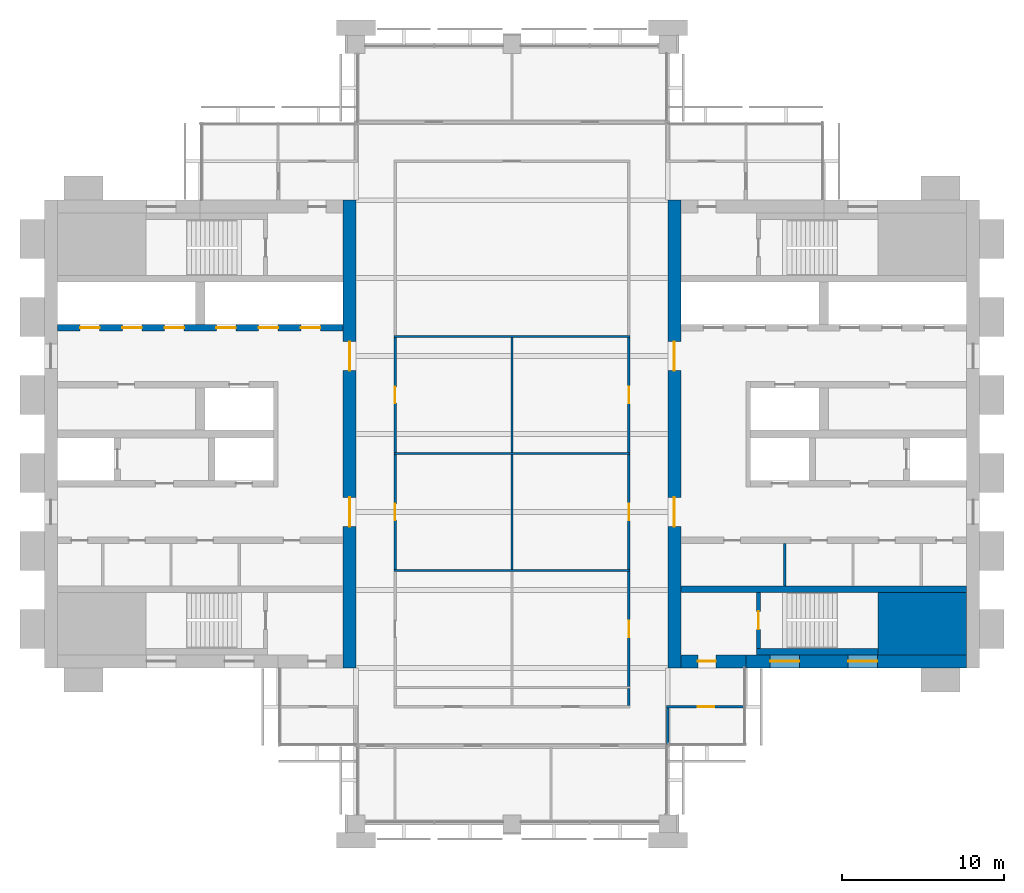
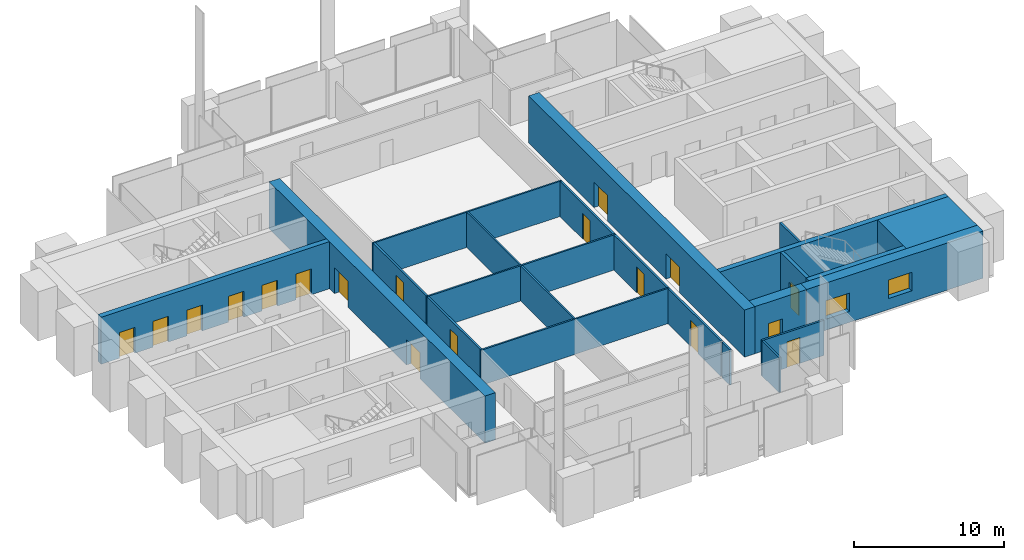
# One storey, part 9 of 13: 23 walls, 18 doors, 2 windows, 20 openings.
"""IFC4 building model written with IfcOpenShell, lengths in metres."""

from ifc_helpers import new_model, si_unit, direction, frame, frame_2d, origin, place, context, subcontext, project, spatial, rectangle, extrude, material, layer, layer_set, type_object, element, fill, save


model = new_model("IFC4")

# Units and contexts
model_context = context("Model", 3, precision=1e-05, world=origin(), true_north=direction((0.0, 1.0)))
body_context = subcontext(model_context, "Body", "Model", "MODEL_VIEW")
ifc_project = project(units=[si_unit("LENGTHUNIT", "METRE"), si_unit("AREAUNIT", "SQUARE_METRE"), si_unit("VOLUMEUNIT", "CUBIC_METRE"), si_unit("PLANEANGLEUNIT", "RADIAN"), si_unit("MASSUNIT", "GRAM", prefix="KILO")], contexts=[model_context])

# Site, building, storey
site_placement = place(None, origin())
site = spatial("IfcSite", under=ifc_project, at=site_placement, CompositionType="ELEMENT")
building_placement = place(site_placement, origin())
building = spatial("IfcBuilding", under=site, at=building_placement, Name="Baori Bourse Tower", CompositionType="ELEMENT")
storey_placement = place(building_placement, frame((0.0, 0.0, 237.199951171875)))
storey = spatial("IfcBuildingStorey", under=building, at=storey_placement, Name="L52", CompositionType="ELEMENT", Elevation=237.199951171875)

# Walls
ifc_material_1 = material(Name="Concrete f'c 50 MPa", Category="concrete")
wall_type_1 = type_object("IfcWallType", Name="Core corner block f'c 50", PredefinedType="SHEAR", material=ifc_material_1)
wall_1_placement = place(storey_placement, frame((51.35009765625, 12.324951171875, 0.0), z_axis=(0.0, 0.0, 1.0), x_axis=(1.0, 0.0, 0.0)))
element("IfcWall", 1, at=wall_1_placement, inside=storey, type_object=wall_type_1, Name="Core wall E05", PredefinedType="SHEAR", context=body_context, shape_type="SweptSolid", body=[
    extrude(rectangle(XDim=5.449951171875, YDim=3.85009765625, at=frame_2d((2.72509765625, 0.0))), origin(), (0.0, 0.0, 1.0), 3.840087890625),
])
ifc_material_2 = material(Name="Blockwork partition", Category="masonry")
ifc_layer_1 = layer(ifc_material_2, 0.14990234375)
ifc_layer_set_1 = layer_set([ifc_layer_1], Name="Core partition 150")
wall_type_2 = type_object("IfcWallType", Name="Core partition 150", PredefinedType="PARTITIONING", material=ifc_layer_set_1)
wall_2_placement = place(storey_placement, frame((45.60009765625, 14.64990234375, 0.0), z_axis=(0.0, 0.0, 1.0), x_axis=(0.0, 1.0, 0.0)))
element("IfcWall", 2, at=wall_2_placement, inside=storey, type_object=wall_type_2, Name="Partition wall E11", PredefinedType="PARTITIONING", context=body_context, shape_type="SweptSolid", body=[
    extrude(rectangle(XDim=2.60009765625, YDim=0.14990234375, at=frame_2d((1.300048828125, 0.0))), origin(), (0.0, 0.0, 1.0), 3.840087890625),
])

# Wall, openings, doors
ifc_material_3 = material(Name="Concrete f'c 50 MPa", Category="concrete")
ifc_layer_2 = layer(ifc_material_3, 0.800048828125)
ifc_layer_set_2 = layer_set([ifc_layer_2], Name="Core wall 800 f'c 50")
wall_type_3 = type_object("IfcWallType", Name="Core wall 800 f'c 50", PredefinedType="SHEAR", material=ifc_layer_set_2)
wall_3_placement = place(storey_placement, frame((18.800048828125, 38.39990234375, 0.0), z_axis=(0.0, 0.0, 1.0), x_axis=(0.0, -1.0, 0.0)))
wall_3 = element("IfcWall", 3, at=wall_3_placement, inside=storey, type_object=wall_type_3, Name="Core wall W04", PredefinedType="SHEAR", context=body_context, shape_type="SweptSolid", body=[
    extrude(rectangle(XDim=28.7998046875, YDim=0.800048828125, at=frame_2d((14.39990234375, 0.0))), origin(), (0.0, 0.0, 1.0), 3.840087890625),
])
opening_1_placement = place(wall_3_placement, frame((18.300048828125, 0.0, 0.0)))
opening_1 = element("IfcOpeningElement", 4, at=opening_1_placement, cuts=wall_3, Name="Opening L52-D107", PredefinedType="OPENING", context=body_context, shape_type="SweptSolid", body=[
    extrude(rectangle(XDim=1.800048828125, YDim=2.10009765625, at=frame_2d((0.89990234375, 1.050048828125))), frame((0.0, 0.409912109375, 0.0), z_axis=(0.0, -1.0, 0.0), x_axis=(1.0, 0.0, 0.0)), (0.0, 0.0, 1.0), 0.820068359375),
])
opening_2_placement = place(wall_3_placement, frame((8.699951171875, 0.0, 0.0)))
opening_2 = element("IfcOpeningElement", 5, at=opening_2_placement, cuts=wall_3, Name="Opening L52-D108", PredefinedType="OPENING", context=body_context, shape_type="SweptSolid", body=[
    extrude(rectangle(XDim=1.800048828125, YDim=2.10009765625, at=frame_2d((0.89990234375, 1.050048828125))), frame((0.0, 0.409912109375, 0.0), z_axis=(0.0, -1.0, 0.0), x_axis=(1.0, 0.0, 0.0)), (0.0, 0.0, 1.0), 0.820068359375),
])
ifc_material_4 = material(Name="Painted steel door", Category="steel")
door_type_1 = type_object("IfcDoorType", Name="Core lobby door 1800", OperationType="DOUBLE_DOOR_SINGLE_SWING", PredefinedType="DOOR", material=ifc_material_4)
door_1_placement = place(opening_1_placement, origin())
door_1 = element("IfcDoor", 6, at=door_1_placement, inside=storey, type_object=door_type_1, Name="Lobby door W L52", OperationType="DOUBLE_DOOR_SINGLE_SWING", OverallHeight=2.10009765625, OverallWidth=1.800048828125, PredefinedType="DOOR", context=body_context, shape_type="SweptSolid", body=[
    extrude(rectangle(XDim=1.800048828125, YDim=2.10009765625, at=frame_2d((0.89990234375, 1.050048828125))), frame((0.0, 0.02490234375, 0.0), z_axis=(0.0, -1.0, 0.0), x_axis=(1.0, 0.0, 0.0)), (0.0, 0.0, 1.0), 0.050048828125),
])
fill(opening_1, door_1)
door_2_placement = place(opening_2_placement, origin())
door_2 = element("IfcDoor", 7, at=door_2_placement, inside=storey, type_object=door_type_1, Name="Lobby door W L52", OperationType="DOUBLE_DOOR_SINGLE_SWING", OverallHeight=2.10009765625, OverallWidth=1.800048828125, PredefinedType="DOOR", context=body_context, shape_type="SweptSolid", body=[
    extrude(rectangle(XDim=1.800048828125, YDim=2.10009765625, at=frame_2d((0.89990234375, 1.050048828125))), frame((0.0, 0.02490234375, 0.0), z_axis=(0.0, -1.0, 0.0), x_axis=(1.0, 0.0, 0.0)), (0.0, 0.0, 1.0), 0.050048828125),
])
fill(opening_2, door_2)

# Wall, openings, windows
wall_4_placement = place(storey_placement, frame((56.800048828125, 10.0, 0.0), z_axis=(0.0, 0.0, 1.0), x_axis=(-1.0, 0.0, 0.0)))
wall_4 = element("IfcWall", 8, at=wall_4_placement, inside=storey, type_object=wall_type_3, Name="Core wall E02", PredefinedType="SHEAR", context=body_context, shape_type="SweptSolid", body=[
    extrude(rectangle(XDim=13.60009765625, YDim=0.800048828125, at=frame_2d((6.800048828125, 0.0))), origin(), (0.0, 0.0, 1.0), 3.840087890625),
])
opening_3_placement = place(wall_4_placement, frame((5.5, 0.0, 0.89990234375)))
opening_3 = element("IfcOpeningElement", 9, at=opening_3_placement, cuts=wall_4, Name="Opening L52-KW203", PredefinedType="OPENING", context=body_context, shape_type="SweptSolid", body=[
    extrude(rectangle(XDim=1.800048828125, YDim=1.5, at=frame_2d((0.89990234375, 0.75))), frame((0.0, 0.409912109375, 0.0), z_axis=(0.0, -1.0, 0.0), x_axis=(1.0, 0.0, 0.0)), (0.0, 0.0, 1.0), 0.820068359375),
])
opening_4_placement = place(wall_4_placement, frame((10.300048828125, 0.0, 0.89990234375)))
opening_4 = element("IfcOpeningElement", 10, at=opening_4_placement, cuts=wall_4, Name="Opening L52-KW204", PredefinedType="OPENING", context=body_context, shape_type="SweptSolid", body=[
    extrude(rectangle(XDim=1.800048828125, YDim=1.5, at=frame_2d((0.89990234375, 0.75))), frame((0.0, 0.409912109375, 0.0), z_axis=(0.0, -1.0, 0.0), x_axis=(1.0, 0.0, 0.0)), (0.0, 0.0, 1.0), 0.820068359375),
])
ifc_material_5 = material(Name="Pale anodised aluminium", Category="aluminium")
window_type = type_object("IfcWindowType", Name="Stair window 1800 x 1500", PartitioningType="SINGLE_PANEL", PredefinedType="WINDOW", material=ifc_material_5)
window_1_placement = place(opening_3_placement, origin())
window_1 = element("IfcWindow", 11, at=window_1_placement, inside=storey, type_object=window_type, Name="Stair window E L52 3", OverallHeight=1.5, OverallWidth=1.800048828125, PartitioningType="SINGLE_PANEL", PredefinedType="WINDOW", context=body_context, shape_type="SweptSolid", body=[
    extrude(rectangle(XDim=1.800048828125, YDim=1.5, at=frame_2d((0.89990234375, 0.75))), frame((0.0, 0.030029296875, 0.0), z_axis=(0.0, -1.0, 0.0), x_axis=(1.0, 0.0, 0.0)), (0.0, 0.0, 1.0), 0.06005859375),
])
fill(opening_3, window_1)
window_2_placement = place(opening_4_placement, origin())
window_2 = element("IfcWindow", 12, at=window_2_placement, inside=storey, type_object=window_type, Name="Stair window E L52 4", OverallHeight=1.5, OverallWidth=1.800048828125, PartitioningType="SINGLE_PANEL", PredefinedType="WINDOW", context=body_context, shape_type="SweptSolid", body=[
    extrude(rectangle(XDim=1.800048828125, YDim=1.5, at=frame_2d((0.89990234375, 0.75))), frame((0.0, 0.030029296875, 0.0), z_axis=(0.0, -1.0, 0.0), x_axis=(1.0, 0.0, 0.0)), (0.0, 0.0, 1.0), 0.06005859375),
])
fill(opening_4, window_2)

# Wall, opening, door
wall_5_placement = place(storey_placement, frame((43.199951171875, 10.0, 0.0), z_axis=(0.0, 0.0, 1.0), x_axis=(-1.0, 0.0, 0.0)))
wall_5 = element("IfcWall", 13, at=wall_5_placement, inside=storey, type_object=wall_type_3, Name="Core wall E03", PredefinedType="SHEAR", context=body_context, shape_type="SweptSolid", body=[
    extrude(rectangle(XDim=4.0, YDim=0.800048828125, at=frame_2d((2.0, 0.0))), origin(), (0.0, 0.0, 1.0), 3.840087890625),
])
opening_5_placement = place(wall_5_placement, frame((1.85009765625, 0.0, 0.0)))
opening_5 = element("IfcOpeningElement", 14, at=opening_5_placement, cuts=wall_5, Name="Opening L52-D202", PredefinedType="OPENING", context=body_context, shape_type="SweptSolid", body=[
    extrude(rectangle(XDim=1.10009765625, YDim=2.10009765625, at=frame_2d((0.550048828125, 1.050048828125))), frame((0.0, 0.409912109375, 0.0), z_axis=(0.0, -1.0, 0.0), x_axis=(1.0, 0.0, 0.0)), (0.0, 0.0, 1.0), 0.820068359375),
])
ifc_material_6 = material(Name="Painted steel door", Category="steel")
door_type_2 = type_object("IfcDoorType", Name="Stair door 1100", OperationType="SINGLE_SWING_LEFT", PredefinedType="DOOR", material=ifc_material_6)
door_3_placement = place(opening_5_placement, origin())
door_3 = element("IfcDoor", 15, at=door_3_placement, inside=storey, type_object=door_type_2, Name="Stair vestibule door A E L52", OperationType="SINGLE_SWING_LEFT", OverallHeight=2.10009765625, OverallWidth=1.10009765625, PredefinedType="DOOR", context=body_context, shape_type="SweptSolid", body=[
    extrude(rectangle(XDim=1.10009765625, YDim=2.10009765625, at=frame_2d((0.550048828125, 1.050048828125))), frame((0.0, 0.02490234375, 0.0), z_axis=(0.0, -1.0, 0.0), x_axis=(1.0, 0.0, 0.0)), (0.0, 0.0, 1.0), 0.050048828125),
])
fill(opening_5, door_3)

# Wall, openings, doors
wall_6_placement = place(storey_placement, frame((38.800048828125, 9.60009765625, 0.0), z_axis=(0.0, 0.0, 1.0), x_axis=(0.0, 1.0, 0.0)))
wall_6 = element("IfcWall", 16, at=wall_6_placement, inside=storey, type_object=wall_type_3, Name="Core wall E04", PredefinedType="SHEAR", context=body_context, shape_type="SweptSolid", body=[
    extrude(rectangle(XDim=28.7998046875, YDim=0.800048828125, at=frame_2d((14.39990234375, 0.0))), origin(), (0.0, 0.0, 1.0), 3.840087890625),
])
opening_6_placement = place(wall_6_placement, frame((8.699951171875, 0.0, 0.0)))
opening_6 = element("IfcOpeningElement", 17, at=opening_6_placement, cuts=wall_6, Name="Opening L52-D207", PredefinedType="OPENING", context=body_context, shape_type="SweptSolid", body=[
    extrude(rectangle(XDim=1.800048828125, YDim=2.10009765625, at=frame_2d((0.89990234375, 1.050048828125))), frame((0.0, 0.409912109375, 0.0), z_axis=(0.0, -1.0, 0.0), x_axis=(1.0, 0.0, 0.0)), (0.0, 0.0, 1.0), 0.820068359375),
])
opening_7_placement = place(wall_6_placement, frame((18.300048828125, 0.0, 0.0)))
opening_7 = element("IfcOpeningElement", 18, at=opening_7_placement, cuts=wall_6, Name="Opening L52-D208", PredefinedType="OPENING", context=body_context, shape_type="SweptSolid", body=[
    extrude(rectangle(XDim=1.800048828125, YDim=2.10009765625, at=frame_2d((0.89990234375, 1.050048828125))), frame((0.0, 0.409912109375, 0.0), z_axis=(0.0, -1.0, 0.0), x_axis=(1.0, 0.0, 0.0)), (0.0, 0.0, 1.0), 0.820068359375),
])
door_4_placement = place(opening_6_placement, origin())
door_4 = element("IfcDoor", 19, at=door_4_placement, inside=storey, type_object=door_type_1, Name="Lobby door E L52", OperationType="DOUBLE_DOOR_SINGLE_SWING", OverallHeight=2.10009765625, OverallWidth=1.800048828125, PredefinedType="DOOR", context=body_context, shape_type="SweptSolid", body=[
    extrude(rectangle(XDim=1.800048828125, YDim=2.10009765625, at=frame_2d((0.89990234375, 1.050048828125))), frame((0.0, 0.02490234375, 0.0), z_axis=(0.0, -1.0, 0.0), x_axis=(1.0, 0.0, 0.0)), (0.0, 0.0, 1.0), 0.050048828125),
])
fill(opening_6, door_4)
door_5_placement = place(opening_7_placement, origin())
door_5 = element("IfcDoor", 20, at=door_5_placement, inside=storey, type_object=door_type_1, Name="Lobby door E L52", OperationType="DOUBLE_DOOR_SINGLE_SWING", OverallHeight=2.10009765625, OverallWidth=1.800048828125, PredefinedType="DOOR", context=body_context, shape_type="SweptSolid", body=[
    extrude(rectangle(XDim=1.800048828125, YDim=2.10009765625, at=frame_2d((0.89990234375, 1.050048828125))), frame((0.0, 0.02490234375, 0.0), z_axis=(0.0, -1.0, 0.0), x_axis=(1.0, 0.0, 0.0)), (0.0, 0.0, 1.0), 0.050048828125),
])
fill(opening_7, door_5)

# Wall, opening, door
ifc_material_7 = material(Name="Gypsum board partition")
ifc_layer_3 = layer(ifc_material_7, 0.14990234375)
ifc_layer_set_3 = layer_set([ifc_layer_3], Name="Corridor partition 150")
wall_type_4 = type_object("IfcWallType", Name="Corridor partition 150", PredefinedType="PARTITIONING", material=ifc_layer_set_3)
wall_7_placement = place(storey_placement, frame((38.324951171875, 7.199951171875, 0.0), z_axis=(0.0, 0.0, 1.0), x_axis=(1.0, 0.0, 0.0)))
wall_7 = element("IfcWall", 21, at=wall_7_placement, inside=storey, type_object=wall_type_4, Name="Partition", PredefinedType="PARTITIONING", context=body_context, shape_type="SweptSolid", body=[
    extrude(rectangle(XDim=4.775146484375, YDim=0.14990234375, at=frame_2d((2.3876953125, 0.0))), origin(), (0.0, 0.0, 1.0), 2.869873046875),
])
opening_8_placement = place(wall_7_placement, frame((1.925048828125, 0.0, 0.0)))
opening_8 = element("IfcOpeningElement", 22, at=opening_8_placement, cuts=wall_7, Name="Opening L52-D07", PredefinedType="OPENING", context=body_context, shape_type="SweptSolid", body=[
    extrude(rectangle(XDim=1.0, YDim=2.10009765625, at=frame_2d((0.5, 1.050048828125))), frame((0.0, 0.0849609375, 0.0), z_axis=(0.0, -1.0, 0.0), x_axis=(1.0, 0.0, 0.0)), (0.0, 0.0, 1.0), 0.169921875),
])
ifc_material_8 = material(Name="Timber door leaf", Category="wood")
door_type_3 = type_object("IfcDoorType", Name="Door 1000 x 2100", OperationType="SINGLE_SWING_LEFT", PredefinedType="DOOR", material=ifc_material_8)
door_6_placement = place(opening_8_placement, origin())
door_6 = element("IfcDoor", 23, at=door_6_placement, inside=storey, type_object=door_type_3, Name="Door", OperationType="SINGLE_SWING_RIGHT", OverallHeight=2.10009765625, OverallWidth=1.0, PredefinedType="DOOR", context=body_context, shape_type="SweptSolid", body=[
    extrude(rectangle(XDim=1.0, YDim=2.10009765625, at=frame_2d((0.5, 1.050048828125))), frame((0.0, 0.02490234375, 0.0), z_axis=(0.0, -1.0, 0.0), x_axis=(1.0, 0.0, 0.0)), (0.0, 0.0, 1.0), 0.050048828125),
])
fill(opening_8, door_6)

wall_8_placement = place(storey_placement, frame((21.60009765625, 15.66259765625, 0.0), z_axis=(0.0, 0.0, 1.0), x_axis=(0.0, 1.0, 0.0)))
wall_8 = element("IfcWall", 24, at=wall_8_placement, inside=storey, type_object=wall_type_4, Name="Partition", PredefinedType="PARTITIONING", context=body_context, shape_type="SweptSolid", body=[
    extrude(rectangle(XDim=7.074951171875, YDim=0.14990234375, at=frame_2d((3.53759765625, 0.0))), origin(), (0.0, 0.0, 1.0), 2.869873046875),
])
opening_9_placement = place(wall_8_placement, frame((3.03759765625, 0.0, 0.0)))
opening_9 = element("IfcOpeningElement", 25, at=opening_9_placement, cuts=wall_8, Name="Opening L52-D15", PredefinedType="OPENING", context=body_context, shape_type="SweptSolid", body=[
    extrude(rectangle(XDim=1.0, YDim=2.10009765625, at=frame_2d((0.5, 1.050048828125))), frame((0.0, 0.0849609375, 0.0), z_axis=(0.0, -1.0, 0.0), x_axis=(1.0, 0.0, 0.0)), (0.0, 0.0, 1.0), 0.169921875),
])
door_7_placement = place(opening_9_placement, origin())
door_7 = element("IfcDoor", 26, at=door_7_placement, inside=storey, type_object=door_type_3, Name="Door", OperationType="SINGLE_SWING_LEFT", OverallHeight=2.10009765625, OverallWidth=1.0, PredefinedType="DOOR", context=body_context, shape_type="SweptSolid", body=[
    extrude(rectangle(XDim=1.0, YDim=2.10009765625, at=frame_2d((0.5, 1.050048828125))), frame((0.0, 0.02490234375, 0.0), z_axis=(0.0, -1.0, 0.0), x_axis=(1.0, 0.0, 0.0)), (0.0, 0.0, 1.0), 0.050048828125),
])
fill(opening_9, door_7)

wall_9_placement = place(storey_placement, frame((21.60009765625, 22.862548828125, 0.0), z_axis=(0.0, 0.0, 1.0), x_axis=(0.0, 1.0, 0.0)))
wall_9 = element("IfcWall", 27, at=wall_9_placement, inside=storey, type_object=wall_type_4, Name="Partition", PredefinedType="PARTITIONING", context=body_context, shape_type="SweptSolid", body=[
    extrude(rectangle(XDim=7.074951171875, YDim=0.14990234375, at=frame_2d((3.53759765625, 0.0))), origin(), (0.0, 0.0, 1.0), 2.869873046875),
])
opening_10_placement = place(wall_9_placement, frame((3.03759765625, 0.0, 0.0)))
opening_10 = element("IfcOpeningElement", 28, at=opening_10_placement, cuts=wall_9, Name="Opening L52-D16", PredefinedType="OPENING", context=body_context, shape_type="SweptSolid", body=[
    extrude(rectangle(XDim=1.0, YDim=2.10009765625, at=frame_2d((0.5, 1.050048828125))), frame((0.0, 0.0849609375, 0.0), z_axis=(0.0, -1.0, 0.0), x_axis=(1.0, 0.0, 0.0)), (0.0, 0.0, 1.0), 0.169921875),
])
door_8_placement = place(opening_10_placement, origin())
door_8 = element("IfcDoor", 29, at=door_8_placement, inside=storey, type_object=door_type_3, Name="Door", OperationType="SINGLE_SWING_LEFT", OverallHeight=2.10009765625, OverallWidth=1.0, PredefinedType="DOOR", context=body_context, shape_type="SweptSolid", body=[
    extrude(rectangle(XDim=1.0, YDim=2.10009765625, at=frame_2d((0.5, 1.050048828125))), frame((0.0, 0.02490234375, 0.0), z_axis=(0.0, -1.0, 0.0), x_axis=(1.0, 0.0, 0.0)), (0.0, 0.0, 1.0), 0.050048828125),
])
fill(opening_10, door_8)

# Wall
wall_10_placement = place(storey_placement, frame((36.0, 7.27490234375, 0.0), z_axis=(0.0, 0.0, 1.0), x_axis=(0.0, 1.0, 0.0)))
element("IfcWall", 30, at=wall_10_placement, inside=storey, type_object=wall_type_4, Name="Partition", PredefinedType="PARTITIONING", context=body_context, shape_type="SweptSolid", body=[
    extrude(rectangle(XDim=1.0625, YDim=0.14990234375, at=frame_2d((0.53125, 0.0))), origin(), (0.0, 0.0, 1.0), 2.869873046875),
])

# Wall, opening, door
wall_11_placement = place(storey_placement, frame((36.0, 8.46240234375, 0.0), z_axis=(0.0, 0.0, 1.0), x_axis=(0.0, 1.0, 0.0)))
wall_11 = element("IfcWall", 31, at=wall_11_placement, inside=storey, type_object=wall_type_4, Name="Partition", PredefinedType="PARTITIONING", context=body_context, shape_type="SweptSolid", body=[
    extrude(rectangle(XDim=7.0751953125, YDim=0.14990234375, at=frame_2d((3.53759765625, 0.0))), origin(), (0.0, 0.0, 1.0), 2.869873046875),
])
opening_11_placement = place(wall_11_placement, frame((3.03759765625, 0.0, 0.0)))
opening_11 = element("IfcOpeningElement", 32, at=opening_11_placement, cuts=wall_11, Name="Opening L52-D17", PredefinedType="OPENING", context=body_context, shape_type="SweptSolid", body=[
    extrude(rectangle(XDim=1.0, YDim=2.10009765625, at=frame_2d((0.5, 1.050048828125))), frame((0.0, 0.0849609375, 0.0), z_axis=(0.0, -1.0, 0.0), x_axis=(1.0, 0.0, 0.0)), (0.0, 0.0, 1.0), 0.169921875),
])
door_9_placement = place(opening_11_placement, origin())
door_9 = element("IfcDoor", 33, at=door_9_placement, inside=storey, type_object=door_type_3, Name="Door", OperationType="SINGLE_SWING_RIGHT", OverallHeight=2.10009765625, OverallWidth=1.0, PredefinedType="DOOR", context=body_context, shape_type="SweptSolid", body=[
    extrude(rectangle(XDim=1.0, YDim=2.10009765625, at=frame_2d((0.5, 1.050048828125))), frame((0.0, 0.02490234375, 0.0), z_axis=(0.0, -1.0, 0.0), x_axis=(1.0, 0.0, 0.0)), (0.0, 0.0, 1.0), 0.050048828125),
])
fill(opening_11, door_9)

wall_12_placement = place(storey_placement, frame((36.0, 15.66259765625, 0.0), z_axis=(0.0, 0.0, 1.0), x_axis=(0.0, 1.0, 0.0)))
wall_12 = element("IfcWall", 34, at=wall_12_placement, inside=storey, type_object=wall_type_4, Name="Partition", PredefinedType="PARTITIONING", context=body_context, shape_type="SweptSolid", body=[
    extrude(rectangle(XDim=7.074951171875, YDim=0.14990234375, at=frame_2d((3.53759765625, 0.0))), origin(), (0.0, 0.0, 1.0), 2.869873046875),
])
opening_12_placement = place(wall_12_placement, frame((3.03759765625, 0.0, 0.0)))
opening_12 = element("IfcOpeningElement", 35, at=opening_12_placement, cuts=wall_12, Name="Opening L52-D18", PredefinedType="OPENING", context=body_context, shape_type="SweptSolid", body=[
    extrude(rectangle(XDim=1.0, YDim=2.10009765625, at=frame_2d((0.5, 1.050048828125))), frame((0.0, 0.0849609375, 0.0), z_axis=(0.0, -1.0, 0.0), x_axis=(1.0, 0.0, 0.0)), (0.0, 0.0, 1.0), 0.169921875),
])
door_10_placement = place(opening_12_placement, origin())
door_10 = element("IfcDoor", 36, at=door_10_placement, inside=storey, type_object=door_type_3, Name="Door", OperationType="SINGLE_SWING_RIGHT", OverallHeight=2.10009765625, OverallWidth=1.0, PredefinedType="DOOR", context=body_context, shape_type="SweptSolid", body=[
    extrude(rectangle(XDim=1.0, YDim=2.10009765625, at=frame_2d((0.5, 1.050048828125))), frame((0.0, 0.02490234375, 0.0), z_axis=(0.0, -1.0, 0.0), x_axis=(1.0, 0.0, 0.0)), (0.0, 0.0, 1.0), 0.050048828125),
])
fill(opening_12, door_10)

wall_13_placement = place(storey_placement, frame((36.0, 22.862548828125, 0.0), z_axis=(0.0, 0.0, 1.0), x_axis=(0.0, 1.0, 0.0)))
wall_13 = element("IfcWall", 37, at=wall_13_placement, inside=storey, type_object=wall_type_4, Name="Partition", PredefinedType="PARTITIONING", context=body_context, shape_type="SweptSolid", body=[
    extrude(rectangle(XDim=7.074951171875, YDim=0.14990234375, at=frame_2d((3.53759765625, 0.0))), origin(), (0.0, 0.0, 1.0), 2.869873046875),
])
opening_13_placement = place(wall_13_placement, frame((3.03759765625, 0.0, 0.0)))
opening_13 = element("IfcOpeningElement", 38, at=opening_13_placement, cuts=wall_13, Name="Opening L52-D19", PredefinedType="OPENING", context=body_context, shape_type="SweptSolid", body=[
    extrude(rectangle(XDim=1.0, YDim=2.10009765625, at=frame_2d((0.5, 1.050048828125))), frame((0.0, 0.0849609375, 0.0), z_axis=(0.0, -1.0, 0.0), x_axis=(1.0, 0.0, 0.0)), (0.0, 0.0, 1.0), 0.169921875),
])
door_11_placement = place(opening_13_placement, origin())
door_11 = element("IfcDoor", 39, at=door_11_placement, inside=storey, type_object=door_type_3, Name="Door", OperationType="SINGLE_SWING_RIGHT", OverallHeight=2.10009765625, OverallWidth=1.0, PredefinedType="DOOR", context=body_context, shape_type="SweptSolid", body=[
    extrude(rectangle(XDim=1.0, YDim=2.10009765625, at=frame_2d((0.5, 1.050048828125))), frame((0.0, 0.02490234375, 0.0), z_axis=(0.0, -1.0, 0.0), x_axis=(1.0, 0.0, 0.0)), (0.0, 0.0, 1.0), 0.050048828125),
])
fill(opening_13, door_11)

# Walls
wall_14_placement = place(storey_placement, frame((38.39990234375, 4.875, 0.0), z_axis=(0.0, 0.0, 1.0), x_axis=(0.0, 1.0, 0.0)))
element("IfcWall", 40, at=wall_14_placement, inside=storey, type_object=wall_type_4, Name="Partition", PredefinedType="PARTITIONING", context=body_context, shape_type="SweptSolid", body=[
    extrude(rectangle(XDim=2.25, YDim=0.14990234375, at=frame_2d((1.125, 0.0))), origin(), (0.0, 0.0, 1.0), 2.869873046875),
])
ifc_material_9 = material(Name="Gypsum board partition")
ifc_layer_4 = layer(ifc_material_9, 0.125)
ifc_layer_set_4 = layer_set([ifc_layer_4], Name="Partition 125")
wall_type_5 = type_object("IfcWallType", Name="Partition 125", PredefinedType="PARTITIONING", material=ifc_layer_set_4)
for number, where, z_axis, x_axis, name in (
    (41, (21.52490234375, 15.60009765625, 0.0), (0.0, 0.0, 1.0), (1.0, 0.0, 0.0), "Partition"),
    (42, (21.52490234375, 22.800048828125, 0.0), (0.0, 0.0, 1.0), (1.0, 0.0, 0.0), "Partition"),
    (43, (21.52490234375, 30.0, 0.0), (0.0, 0.0, 1.0), (1.0, 0.0, 0.0), "Partition"),
):
    element("IfcWall", number, at=place(storey_placement, frame(where, z_axis=z_axis, x_axis=x_axis)), inside=storey, type_object=wall_type_5, Name=name, PredefinedType="PARTITIONING", context=body_context, shape_type="SweptSolid", body=[
        extrude(rectangle(XDim=14.550048828125, YDim=0.125, at=frame_2d((7.27490234375, 0.0))), origin(), (0.0, 0.0, 1.0), 2.869873046875),
    ])
for number, where, z_axis, x_axis, name in (
    (44, (28.800048828125, 15.66259765625, 0.0), (0.0, 0.0, 1.0), (0.0, 1.0, 0.0), "Partition"),
    (45, (28.800048828125, 22.862548828125, 0.0), (0.0, 0.0, 1.0), (0.0, 1.0, 0.0), "Partition"),
):
    element("IfcWall", number, at=place(storey_placement, frame(where, z_axis=z_axis, x_axis=x_axis)), inside=storey, type_object=wall_type_5, Name=name, PredefinedType="PARTITIONING", context=body_context, shape_type="SweptSolid", body=[
        extrude(rectangle(XDim=7.074951171875, YDim=0.125, at=frame_2d((3.53759765625, 0.0))), origin(), (0.0, 0.0, 1.0), 2.869873046875),
    ])

# Wall, opening, door
ifc_material_10 = material(Name="Concrete f'c 50 MPa", Category="concrete")
ifc_layer_5 = layer(ifc_material_10, 0.25)
ifc_layer_set_5 = layer_set([ifc_layer_5], Name="Shaft wall 250 f'c 50")
wall_type_6 = type_object("IfcWallType", Name="Shaft wall 250 f'c 50", PredefinedType="SHEAR", material=ifc_layer_set_5)
wall_15_placement = place(storey_placement, frame((43.97509765625, 10.800048828125, 0.0), z_axis=(0.0, 0.0, 1.0), x_axis=(0.0, 1.0, 0.0)))
wall_15 = element("IfcWall", 46, at=wall_15_placement, inside=storey, type_object=wall_type_6, Name="Core wall E07", PredefinedType="SHEAR", context=body_context, shape_type="SweptSolid", body=[
    extrude(rectangle(XDim=3.449951171875, YDim=0.25, at=frame_2d((1.72509765625, 0.0))), origin(), (0.0, 0.0, 1.0), 3.840087890625),
])
opening_14_placement = place(wall_15_placement, frame((1.175048828125, 0.0, 0.0)))
opening_14 = element("IfcOpeningElement", 47, at=opening_14_placement, cuts=wall_15, Name="Opening L52-D201", PredefinedType="OPENING", context=body_context, shape_type="SweptSolid", body=[
    extrude(rectangle(XDim=1.10009765625, YDim=2.10009765625, at=frame_2d((0.550048828125, 1.050048828125))), frame((0.0, 0.135009765625, 0.0), z_axis=(0.0, -1.0, 0.0), x_axis=(1.0, 0.0, 0.0)), (0.0, 0.0, 1.0), 0.27001953125),
])
door_12_placement = place(opening_14_placement, origin())
door_12 = element("IfcDoor", 48, at=door_12_placement, inside=storey, type_object=door_type_2, Name="Stair door A E L52", OperationType="SINGLE_SWING_LEFT", OverallHeight=2.10009765625, OverallWidth=1.10009765625, PredefinedType="DOOR", context=body_context, shape_type="SweptSolid", body=[
    extrude(rectangle(XDim=1.10009765625, YDim=2.10009765625, at=frame_2d((0.550048828125, 1.050048828125))), frame((0.0, 0.02490234375, 0.0), z_axis=(0.0, -1.0, 0.0), x_axis=(1.0, 0.0, 0.0)), (0.0, 0.0, 1.0), 0.050048828125),
])
fill(opening_14, door_12)

# Wall, openings, doors
ifc_material_11 = material(Name="Concrete f'c 50 MPa", Category="concrete")
ifc_layer_6 = layer(ifc_material_11, 0.39990234375)
ifc_layer_set_6 = layer_set([ifc_layer_6], Name="Shaft wall 400 f'c 50")
wall_type_7 = type_object("IfcWallType", Name="Shaft wall 400 f'c 50", PredefinedType="SHEAR", material=ifc_layer_set_6)
wall_16_placement = place(storey_placement, frame((0.800048828125, 30.550048828125, 0.0), z_axis=(0.0, 0.0, 1.0), x_axis=(1.0, 0.0, 0.0)))
wall_16 = element("IfcWall", 49, at=wall_16_placement, inside=storey, type_object=wall_type_7, Name="Core wall W20", PredefinedType="SHEAR", context=body_context, shape_type="SweptSolid", body=[
    extrude(rectangle(XDim=17.599853515625, YDim=0.39990234375, at=frame_2d((8.7998046875, 0.0))), origin(), (0.0, 0.0, 1.0), 3.840087890625),
])
opening_15_placement = place(wall_16_placement, frame((1.39990234375, 0.0, 0.0)))
opening_15 = element("IfcOpeningElement", 50, at=opening_15_placement, cuts=wall_16, Name="Opening L52-D114", PredefinedType="OPENING", context=body_context, shape_type="SweptSolid", body=[
    extrude(rectangle(XDim=1.199951171875, YDim=2.10009765625, at=frame_2d((0.60009765625, 1.050048828125))), frame((0.0, 0.2099609375, 0.0), z_axis=(0.0, -1.0, 0.0), x_axis=(1.0, 0.0, 0.0)), (0.0, 0.0, 1.0), 0.419921875),
])
opening_16_placement = place(wall_16_placement, frame((4.0, 0.0, 0.0)))
opening_16 = element("IfcOpeningElement", 51, at=opening_16_placement, cuts=wall_16, Name="Opening L52-D115", PredefinedType="OPENING", context=body_context, shape_type="SweptSolid", body=[
    extrude(rectangle(XDim=1.199951171875, YDim=2.10009765625, at=frame_2d((0.60009765625, 1.050048828125))), frame((0.0, 0.2099609375, 0.0), z_axis=(0.0, -1.0, 0.0), x_axis=(1.0, 0.0, 0.0)), (0.0, 0.0, 1.0), 0.419921875),
])
opening_17_placement = place(wall_16_placement, frame((6.60009765625, 0.0, 0.0)))
opening_17 = element("IfcOpeningElement", 52, at=opening_17_placement, cuts=wall_16, Name="Opening L52-D116", PredefinedType="OPENING", context=body_context, shape_type="SweptSolid", body=[
    extrude(rectangle(XDim=1.199951171875, YDim=2.10009765625, at=frame_2d((0.60009765625, 1.050048828125))), frame((0.0, 0.2099609375, 0.0), z_axis=(0.0, -1.0, 0.0), x_axis=(1.0, 0.0, 0.0)), (0.0, 0.0, 1.0), 0.419921875),
])
opening_18_placement = place(wall_16_placement, frame((9.800048828125, 0.0, 0.0)))
opening_18 = element("IfcOpeningElement", 53, at=opening_18_placement, cuts=wall_16, Name="Opening L52-D117", PredefinedType="OPENING", context=body_context, shape_type="SweptSolid", body=[
    extrude(rectangle(XDim=1.199951171875, YDim=2.10009765625, at=frame_2d((0.60009765625, 1.050048828125))), frame((0.0, 0.2099609375, 0.0), z_axis=(0.0, -1.0, 0.0), x_axis=(1.0, 0.0, 0.0)), (0.0, 0.0, 1.0), 0.419921875),
])
opening_19_placement = place(wall_16_placement, frame((12.39990234375, 0.0, 0.0)))
opening_19 = element("IfcOpeningElement", 54, at=opening_19_placement, cuts=wall_16, Name="Opening L52-D118", PredefinedType="OPENING", context=body_context, shape_type="SweptSolid", body=[
    extrude(rectangle(XDim=1.199951171875, YDim=2.10009765625, at=frame_2d((0.60009765625, 1.050048828125))), frame((0.0, 0.2099609375, 0.0), z_axis=(0.0, -1.0, 0.0), x_axis=(1.0, 0.0, 0.0)), (0.0, 0.0, 1.0), 0.419921875),
])
opening_20_placement = place(wall_16_placement, frame((15.0, 0.0, 0.0)))
opening_20 = element("IfcOpeningElement", 55, at=opening_20_placement, cuts=wall_16, Name="Opening L52-D119", PredefinedType="OPENING", context=body_context, shape_type="SweptSolid", body=[
    extrude(rectangle(XDim=1.199951171875, YDim=2.10009765625, at=frame_2d((0.60009765625, 1.050048828125))), frame((0.0, 0.2099609375, 0.0), z_axis=(0.0, -1.0, 0.0), x_axis=(1.0, 0.0, 0.0)), (0.0, 0.0, 1.0), 0.419921875),
])
ifc_material_12 = material(Name="Stainless steel door", Category="steel")
door_type_4 = type_object("IfcDoorType", Name="Lift landing door", OperationType="DOUBLE_DOOR_SLIDING", PredefinedType="DOOR", material=ifc_material_12)
door_13_placement = place(opening_15_placement, origin())
door_13 = element("IfcDoor", 56, at=door_13_placement, inside=storey, type_object=door_type_4, Name="Lift landing door HR1 W L52", OperationType="DOUBLE_DOOR_SLIDING", OverallHeight=2.10009765625, OverallWidth=1.199951171875, PredefinedType="DOOR", context=body_context, shape_type="SweptSolid", body=[
    extrude(rectangle(XDim=1.199951171875, YDim=2.10009765625, at=frame_2d((0.60009765625, 1.050048828125))), frame((0.0, 0.02490234375, 0.0), z_axis=(0.0, -1.0, 0.0), x_axis=(1.0, 0.0, 0.0)), (0.0, 0.0, 1.0), 0.050048828125),
])
fill(opening_15, door_13)
door_14_placement = place(opening_16_placement, origin())
door_14 = element("IfcDoor", 57, at=door_14_placement, inside=storey, type_object=door_type_4, Name="Lift landing door HR2 W L52", OperationType="DOUBLE_DOOR_SLIDING", OverallHeight=2.10009765625, OverallWidth=1.199951171875, PredefinedType="DOOR", context=body_context, shape_type="SweptSolid", body=[
    extrude(rectangle(XDim=1.199951171875, YDim=2.10009765625, at=frame_2d((0.60009765625, 1.050048828125))), frame((0.0, 0.02490234375, 0.0), z_axis=(0.0, -1.0, 0.0), x_axis=(1.0, 0.0, 0.0)), (0.0, 0.0, 1.0), 0.050048828125),
])
fill(opening_16, door_14)
door_15_placement = place(opening_17_placement, origin())
door_15 = element("IfcDoor", 58, at=door_15_placement, inside=storey, type_object=door_type_4, Name="Lift landing door HR3 W L52", OperationType="DOUBLE_DOOR_SLIDING", OverallHeight=2.10009765625, OverallWidth=1.199951171875, PredefinedType="DOOR", context=body_context, shape_type="SweptSolid", body=[
    extrude(rectangle(XDim=1.199951171875, YDim=2.10009765625, at=frame_2d((0.60009765625, 1.050048828125))), frame((0.0, 0.02490234375, 0.0), z_axis=(0.0, -1.0, 0.0), x_axis=(1.0, 0.0, 0.0)), (0.0, 0.0, 1.0), 0.050048828125),
])
fill(opening_17, door_15)
door_16_placement = place(opening_18_placement, origin())
door_16 = element("IfcDoor", 59, at=door_16_placement, inside=storey, type_object=door_type_4, Name="Lift landing door HR4 W L52", OperationType="DOUBLE_DOOR_SLIDING", OverallHeight=2.10009765625, OverallWidth=1.199951171875, PredefinedType="DOOR", context=body_context, shape_type="SweptSolid", body=[
    extrude(rectangle(XDim=1.199951171875, YDim=2.10009765625, at=frame_2d((0.60009765625, 1.050048828125))), frame((0.0, 0.02490234375, 0.0), z_axis=(0.0, -1.0, 0.0), x_axis=(1.0, 0.0, 0.0)), (0.0, 0.0, 1.0), 0.050048828125),
])
fill(opening_18, door_16)
door_17_placement = place(opening_19_placement, origin())
door_17 = element("IfcDoor", 60, at=door_17_placement, inside=storey, type_object=door_type_4, Name="Lift landing door HR5 W L52", OperationType="DOUBLE_DOOR_SLIDING", OverallHeight=2.10009765625, OverallWidth=1.199951171875, PredefinedType="DOOR", context=body_context, shape_type="SweptSolid", body=[
    extrude(rectangle(XDim=1.199951171875, YDim=2.10009765625, at=frame_2d((0.60009765625, 1.050048828125))), frame((0.0, 0.02490234375, 0.0), z_axis=(0.0, -1.0, 0.0), x_axis=(1.0, 0.0, 0.0)), (0.0, 0.0, 1.0), 0.050048828125),
])
fill(opening_19, door_17)
door_18_placement = place(opening_20_placement, origin())
door_18 = element("IfcDoor", 61, at=door_18_placement, inside=storey, type_object=door_type_4, Name="Lift landing door HR6 W L52", OperationType="DOUBLE_DOOR_SLIDING", OverallHeight=2.10009765625, OverallWidth=1.199951171875, PredefinedType="DOOR", context=body_context, shape_type="SweptSolid", body=[
    extrude(rectangle(XDim=1.199951171875, YDim=2.10009765625, at=frame_2d((0.60009765625, 1.050048828125))), frame((0.0, 0.02490234375, 0.0), z_axis=(0.0, -1.0, 0.0), x_axis=(1.0, 0.0, 0.0)), (0.0, 0.0, 1.0), 0.050048828125),
])
fill(opening_20, door_18)

# Walls
wall_17_placement = place(storey_placement, frame((43.85009765625, 10.60009765625, 0.0), z_axis=(0.0, 0.0, 1.0), x_axis=(1.0, 0.0, 0.0)))
element("IfcWall", 62, at=wall_17_placement, inside=storey, type_object=wall_type_7, Name="Core wall E06", PredefinedType="SHEAR", context=body_context, shape_type="SweptSolid", body=[
    extrude(rectangle(XDim=7.5, YDim=0.39990234375, at=frame_2d((3.75, 0.0))), origin(), (0.0, 0.0, 1.0), 3.840087890625),
])
wall_18_placement = place(storey_placement, frame((39.199951171875, 14.449951171875, 0.0), z_axis=(0.0, 0.0, 1.0), x_axis=(1.0, 0.0, 0.0)))
element("IfcWall", 63, at=wall_18_placement, inside=storey, type_object=wall_type_7, Name="Core wall E08", PredefinedType="SHEAR", context=body_context, shape_type="SweptSolid", body=[
    extrude(rectangle(XDim=17.60009765625, YDim=0.39990234375, at=frame_2d((8.800048828125, 0.0))), origin(), (0.0, 0.0, 1.0), 3.840087890625),
])

save(model, "model.ifc")
